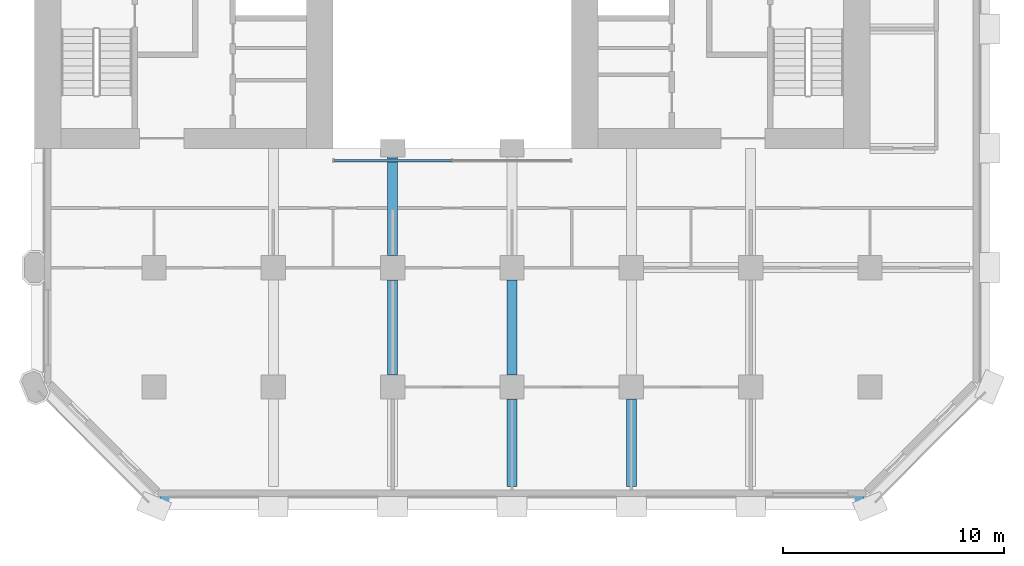
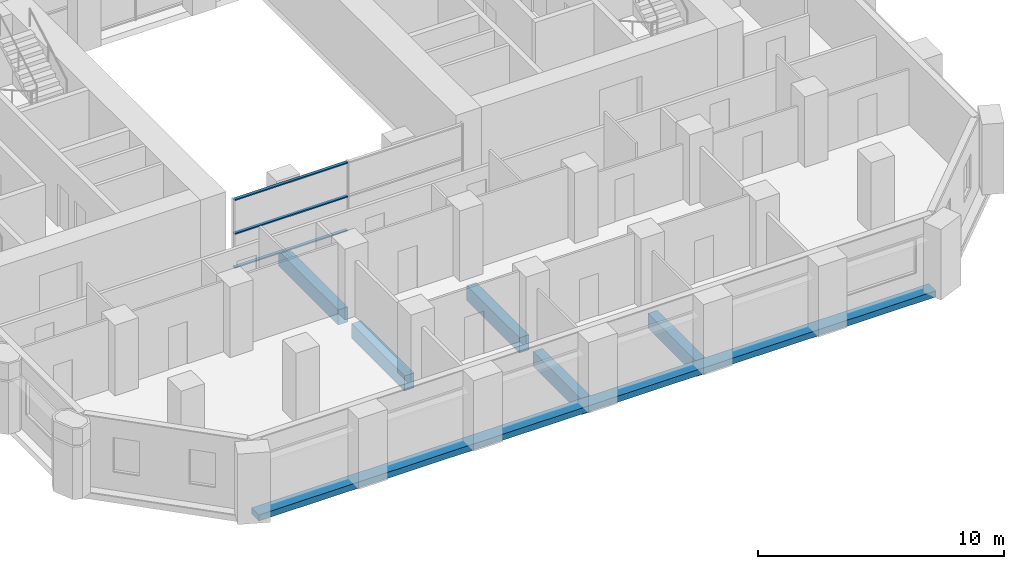
# One storey, part 3 of 13: 6 beams, 3 members, 1 element without a shape of its own.
"""IFC4 building model written with IfcOpenShell, lengths in metres."""

from ifc_helpers import new_model, si_unit, direction, frame, origin, origin_2d, place, context, subcontext, project, spatial, rectangle, extrude, material, material_profile, profile_set, type_object, element, aggregate, save


model = new_model("IFC4")

# Units and contexts
model_context = context("Model", 3, precision=1e-05, world=origin(), true_north=direction((0.0, 1.0)))
body_context = subcontext(model_context, "Body", "Model", "MODEL_VIEW")
ifc_project = project(units=[si_unit("LENGTHUNIT", "METRE"), si_unit("AREAUNIT", "SQUARE_METRE"), si_unit("VOLUMEUNIT", "CUBIC_METRE"), si_unit("PLANEANGLEUNIT", "RADIAN"), si_unit("MASSUNIT", "GRAM", prefix="KILO")], contexts=[model_context])

# Site, building, storey
site_placement = place(None, origin())
site = spatial("IfcSite", under=ifc_project, at=site_placement, CompositionType="ELEMENT")
building_placement = place(site_placement, origin())
building = spatial("IfcBuilding", under=site, at=building_placement, Name="Tabaq Tower and Sports Hall", CompositionType="ELEMENT")
storey_placement = place(building_placement, frame((0.0, 0.0, 37.39990234375)))
storey = spatial("IfcBuildingStorey", under=building, at=storey_placement, Name="L07", CompositionType="ELEMENT", Elevation=37.39990234375)

# Curtain wall, members
ifc_material_1 = material(Name="Aluminium alloy 6063-T6 framed glazing", Category="aluminium")
curtain_wall_type = type_object("IfcCurtainWallType", Name="CW1 curtain wall", PredefinedType="USERDEFINED", material=ifc_material_1)
curtain_wall_placement = place(storey_placement, origin())
curtain_wall = element("IfcCurtainWall", 1, at=curtain_wall_placement, inside=storey, type_object=curtain_wall_type, Name="Atrium glazing L07 S", ObjectType="ATRIUM ENCLOSURE", PredefinedType="USERDEFINED")
ifc_material_2 = material(Name="Aluminium alloy 6063-T6", Category="aluminium")
ifc_material_profile_1 = material_profile(ifc_material_2, rectangle(XDim=0.139892578125, YDim=0.06005859375, at=origin_2d()), Name="TRANSOM 140x60")
ifc_profile_set_1 = profile_set([ifc_material_profile_1], Name="Aluminium alloy 6063-T6")
member_type = type_object("IfcMemberType", Name="CW1 transom 140x60", PredefinedType="USERDEFINED", material=ifc_profile_set_1)
member_1_placement = place(storey_placement, frame((18.9599609375, 15.64990234375, 0.070068359375), z_axis=(1.0, 0.0, 0.0), x_axis=(0.0, 1.0, 0.0)))
member_1 = element("IfcMember", 2, at=member_1_placement, type_object=member_type, Name="CW1 transom 1.1", ObjectType="TRANSOM", PredefinedType="USERDEFINED", context=body_context, shape_type="SweptSolid", body=[
    extrude(rectangle(XDim=0.139892578125, YDim=0.06005859375, at=origin_2d()), origin(), (0.0, 0.0, 1.0), 5.31005859375),
])
member_2_placement = place(storey_placement, frame((18.9599609375, 15.64990234375, 1.75), z_axis=(1.0, 0.0, 0.0), x_axis=(0.0, 1.0, 0.0)))
member_2 = element("IfcMember", 3, at=member_2_placement, type_object=member_type, Name="CW1 transom 1.2", ObjectType="TRANSOM", PredefinedType="USERDEFINED", context=body_context, shape_type="SweptSolid", body=[
    extrude(rectangle(XDim=0.139892578125, YDim=0.06005859375, at=origin_2d()), origin(), (0.0, 0.0, 1.0), 5.31005859375),
])
member_3_placement = place(storey_placement, frame((18.9599609375, 15.64990234375, 3.43017578125), z_axis=(1.0, 0.0, 0.0), x_axis=(0.0, 1.0, 0.0)))
member_3 = element("IfcMember", 4, at=member_3_placement, type_object=member_type, Name="CW1 transom 1.3", ObjectType="TRANSOM", PredefinedType="USERDEFINED", context=body_context, shape_type="SweptSolid", body=[
    extrude(rectangle(XDim=0.139892578125, YDim=0.06005859375, at=origin_2d()), origin(), (0.0, 0.0, 1.0), 5.31005859375),
])
aggregate(curtain_wall, [member_1, member_2, member_3])

# Beams
ifc_material_3 = material(Name="Concrete C40/50", Category="concrete")
ifc_material_profile_2 = material_profile(ifc_material_3, rectangle(XDim=0.449951171875, YDim=0.75, at=origin_2d()), Name="CB 450x750")
ifc_profile_set_2 = profile_set([ifc_material_profile_2], Name="Concrete C40/50")
beam_type_1 = type_object("IfcBeamType", Name="PT CANTILEVER BEAM CB 450x750 C40/50", PredefinedType="BEAM", material=ifc_profile_set_2)
beam_1_placement = place(storey_placement, frame((21.60009765625, 5.949951171875, -0.6748046875), z_axis=(0.0, 1.0, 0.0), x_axis=(-1.0, 0.0, 0.0)))
element("IfcBeam", 5, at=beam_1_placement, inside=storey, type_object=beam_type_1, Name="Cantilever Beam L07 S4 span 2", PredefinedType="BEAM", context=body_context, shape_type="SweptSolid", body=[
    extrude(rectangle(XDim=0.449951171875, YDim=0.75, at=origin_2d()), origin(), (0.0, 0.0, 1.0), 4.300048828125),
])
beam_2_placement = place(storey_placement, frame((21.60009765625, 11.35009765625, -0.6748046875), z_axis=(0.0, 1.0, 0.0), x_axis=(-1.0, 0.0, 0.0)))
element("IfcBeam", 6, at=beam_2_placement, inside=storey, type_object=beam_type_1, Name="Cantilever Beam L07 S4 span 3", PredefinedType="BEAM", context=body_context, shape_type="SweptSolid", body=[
    extrude(rectangle(XDim=0.449951171875, YDim=0.75, at=origin_2d()), origin(), (0.0, 0.0, 1.0), 4.849853515625),
])
beam_3_placement = place(storey_placement, frame((27.0, 0.89990234375, -0.6748046875), z_axis=(0.0, 1.0, 0.0), x_axis=(-1.0, 0.0, 0.0)))
element("IfcBeam", 7, at=beam_3_placement, inside=storey, type_object=beam_type_1, Name="Cantilever Beam L07 S5 span 1", PredefinedType="BEAM", context=body_context, shape_type="SweptSolid", body=[
    extrude(rectangle(XDim=0.449951171875, YDim=0.75, at=origin_2d()), origin(), (0.0, 0.0, 1.0), 3.9501953125),
])
beam_4_placement = place(storey_placement, frame((27.0, 5.949951171875, -0.6748046875), z_axis=(0.0, 1.0, 0.0), x_axis=(-1.0, 0.0, 0.0)))
element("IfcBeam", 8, at=beam_4_placement, inside=storey, type_object=beam_type_1, Name="Cantilever Beam L07 S5 span 2", PredefinedType="BEAM", context=body_context, shape_type="SweptSolid", body=[
    extrude(rectangle(XDim=0.449951171875, YDim=0.75, at=origin_2d()), origin(), (0.0, 0.0, 1.0), 4.300048828125),
])
beam_5_placement = place(storey_placement, frame((32.39990234375, 0.89990234375, -0.6748046875), z_axis=(0.0, 1.0, 0.0), x_axis=(-1.0, 0.0, 0.0)))
element("IfcBeam", 9, at=beam_5_placement, inside=storey, type_object=beam_type_1, Name="Cantilever Beam L07 S6 span 1", PredefinedType="BEAM", context=body_context, shape_type="SweptSolid", body=[
    extrude(rectangle(XDim=0.449951171875, YDim=0.75, at=origin_2d()), origin(), (0.0, 0.0, 1.0), 3.9501953125),
])
ifc_material_4 = material(Name="Concrete C40/50", Category="concrete")
ifc_material_profile_3 = material_profile(ifc_material_4, rectangle(XDim=0.60009765625, YDim=0.300048828125, at=origin_2d()), Name="EB 600x300")
ifc_profile_set_3 = profile_set([ifc_material_profile_3], Name="Concrete C40/50")
beam_type_2 = type_object("IfcBeamType", Name="PT EDGE BEAM EB 600x300 C40/50", PredefinedType="SPANDREL", material=ifc_profile_set_3)
beam_6_placement = place(storey_placement, frame((11.0986328125, 0.300048828125, -0.14990234375), z_axis=(1.0, 0.0, 0.0), x_axis=(0.0, 1.0, 0.0)))
element("IfcBeam", 10, at=beam_6_placement, inside=storey, type_object=beam_type_2, Name="Edge Beam L07 1", PredefinedType="SPANDREL", context=body_context, shape_type="SweptSolid", body=[
    extrude(rectangle(XDim=0.60009765625, YDim=0.300048828125, at=origin_2d()), origin(), (0.0, 0.0, 1.0), 31.802734375),
])

save(model, "model.ifc")
